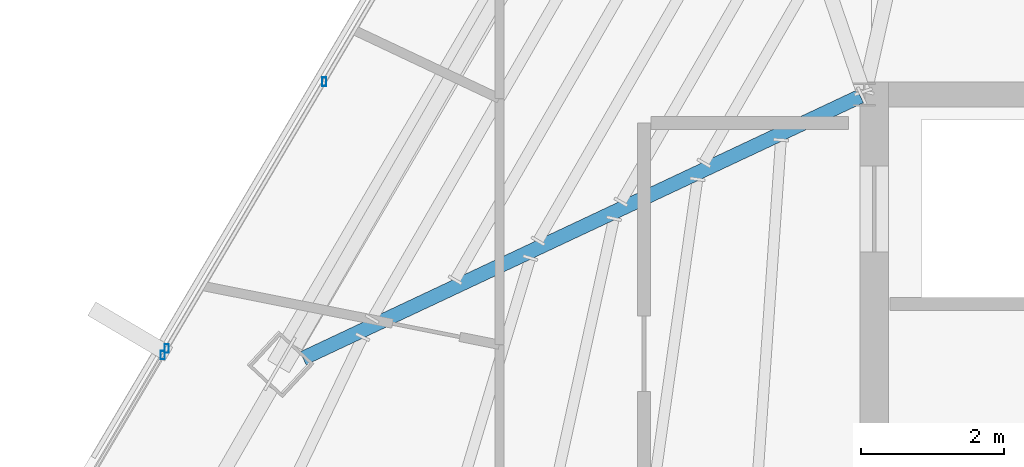
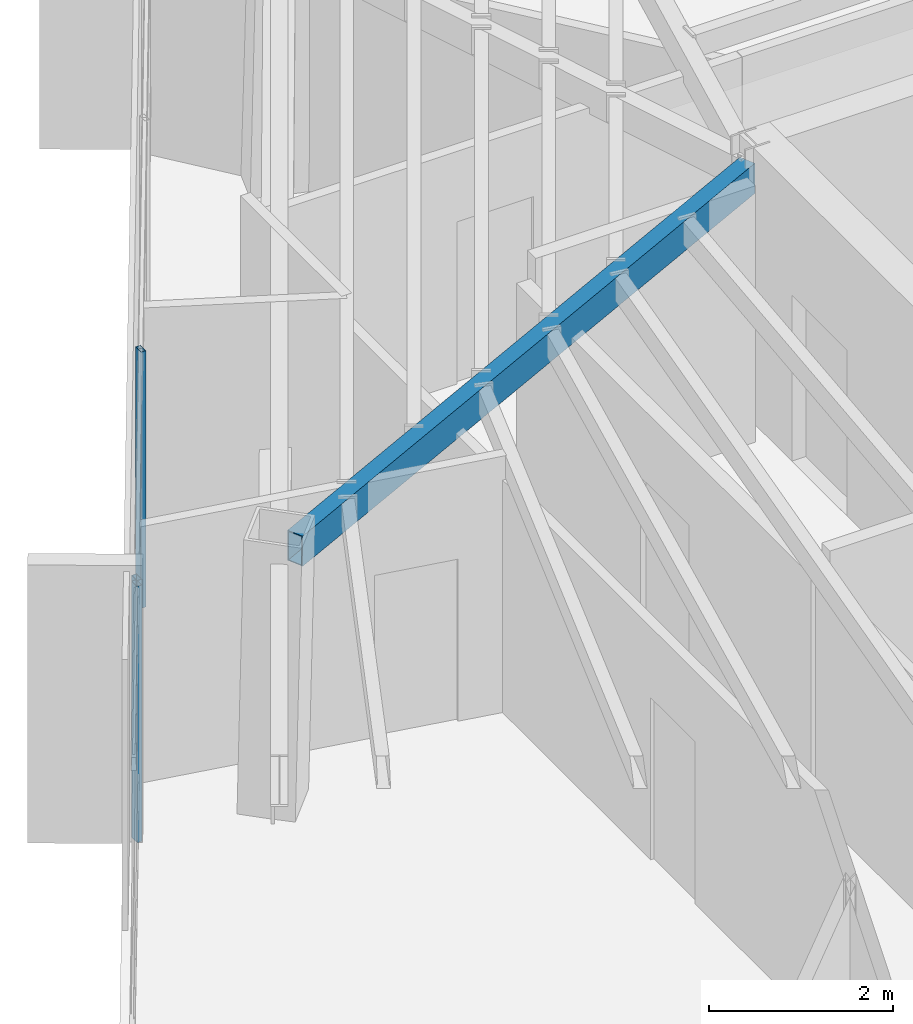
# One storey, part 15 of 47: 3 members, 1 beam, 2 elements without a shape of their own.
"""IFC4 building model written with IfcOpenShell, lengths in metres."""

from ifc_helpers import new_model, si_unit, direction, frame, origin, origin_2d, place, context, subcontext, project, spatial, hollow_rectangle, extrude, source, transform, mapped, material, material_profile, profile_set, type_object, type_shapes, element, aggregate, save


model = new_model("IFC4")

# Units and contexts
model_context = context("Model", 3, precision=1e-05, world=origin(), true_north=direction((0.0, 1.0)))
body_context = subcontext(model_context, "Body", "Model", "MODEL_VIEW")
ifc_project = project(units=[si_unit("LENGTHUNIT", "METRE"), si_unit("AREAUNIT", "SQUARE_METRE"), si_unit("VOLUMEUNIT", "CUBIC_METRE"), si_unit("PLANEANGLEUNIT", "RADIAN"), si_unit("MASSUNIT", "GRAM", prefix="KILO")], contexts=[model_context])

# Site, building, storey
site_placement = place(None, origin())
site = spatial("IfcSite", under=ifc_project, at=site_placement, CompositionType="ELEMENT")
building_placement = place(site_placement, origin())
building = spatial("IfcBuilding", under=site, at=building_placement, Name="Caelisora Broadcast Tower", CompositionType="ELEMENT")
storey_placement = place(building_placement, frame((0.0, 0.0, 255.39990234375)))
storey = spatial("IfcBuildingStorey", under=building, at=storey_placement, Name="L67", CompositionType="ELEMENT", Elevation=255.39990234375)

# Beam
ifc_material_1 = material(Name="Steel Grade 350 (AS/NZS 1163 C350L0)", Category="steel")
ifc_material_profile_1 = material_profile(ifc_material_1, hollow_rectangle(XDim=0.199951171875, YDim=0.39990234375, WallThickness=0.012451171875, at=origin_2d()), Name="Steel Grade 350 (AS/NZS 1163 C350L0)")
ifc_profile_set_1 = profile_set([ifc_material_profile_1], Name="Steel Grade 350 (AS/NZS 1163 C350L0)")
beam_type = type_object("IfcBeamType", Name="PG07", PredefinedType="BEAM", material=ifc_profile_set_1)
shared_shape_1 = source(origin(), body_context, "Body", "SweptSolid", [
    extrude(hollow_rectangle(XDim=0.199951171875, YDim=0.39990234375, WallThickness=0.012451171875, at=origin_2d()), origin(), (0.0, 0.0, 1.0), 8.610107421875),
])
type_shapes(beam_type, [shared_shape_1])
beam_placement = place(storey_placement, frame((30.44580078125, 29.974609375, 3.2001953125), z_axis=(-0.904947824138, -0.425522544159, 0.0), x_axis=(0.425522544159, -0.904947824138, 0.0)))
element("IfcBeam", 1, at=beam_placement, inside=storey, type_object=beam_type, Name="L67 beam PG07", PredefinedType="BEAM", context=body_context, shape_type="MappedRepresentation", body=[
    mapped(shared_shape_1, transform((0.0, 0.0, 0.0), scale=1.0)),
])

# Curtain wall, member
ifc_material_2 = material(Name="Unitised Aluminium and Low-E Glass Curtain Wall", Category="glass")
curtain_wall_type_1 = type_object("IfcCurtainWallType", Name="CW-Z5", PredefinedType="NOTDEFINED", material=ifc_material_2)
curtain_wall_1_placement = place(storey_placement, origin())
curtain_wall_1 = element("IfcCurtainWall", 2, at=curtain_wall_1_placement, inside=storey, type_object=curtain_wall_type_1, Name="L67 curtain wall CW-Z5", PredefinedType="NOTDEFINED")
ifc_material_3 = material(Name="Aluminium 6063-T6 Anodised Terracotta Bronze", Category="aluminium")
ifc_material_profile_2 = material_profile(ifc_material_3, hollow_rectangle(XDim=0.06005859375, YDim=0.1201171875, WallThickness=0.0029296875, at=origin_2d()), Name="Aluminium 6063-T6 Anodised Terracotta Bronze")
ifc_profile_set_2 = profile_set([ifc_material_profile_2], Name="Aluminium 6063-T6 Anodised Terracotta Bronze")
member_type = type_object("IfcMemberType", Name="CWM-04", PredefinedType="MULLION", material=ifc_profile_set_2)
shared_shape_2 = source(origin(), body_context, "Body", "SweptSolid", [
    extrude(hollow_rectangle(XDim=0.06005859375, YDim=0.1201171875, WallThickness=0.0029296875, at=origin_2d()), origin(), (0.0, 0.0, 1.0), 3.400146484375),
])
type_shapes(member_type, [shared_shape_2])
member_1_placement = place(storey_placement, frame((20.69091796875, 26.354248046875, 0.0), z_axis=(0.0, 0.0, 1.0), x_axis=(1.0, 0.0, 0.0)))
member_1 = element("IfcMember", 3, at=member_1_placement, type_object=member_type, Name="L67-CW-B09 mullion #3", PredefinedType="MULLION", context=body_context, shape_type="MappedRepresentation", body=[
    mapped(shared_shape_2, transform((0.0, 0.0, 0.0), scale=1.0)),
])
aggregate(curtain_wall_1, [member_1])

# Curtain wall, members
ifc_material_4 = material(Name="Unitised Aluminium Insulated Shadow-Box Spandrel Curtain Wall", Category="aluminium")
curtain_wall_type_2 = type_object("IfcCurtainWallType", Name="CW-SP3", PredefinedType="NOTDEFINED", material=ifc_material_4)
curtain_wall_2_placement = place(storey_placement, origin())
curtain_wall_2 = element("IfcCurtainWall", 4, at=curtain_wall_2_placement, inside=storey, type_object=curtain_wall_type_2, Name="L67 curtain wall CW-SP3", PredefinedType="NOTDEFINED")
member_2_placement = place(storey_placement, frame((20.7470703125, 26.448974609375, 0.0), z_axis=(0.0, 0.0, 1.0), x_axis=(1.0, 0.0, 0.0)))
member_2 = element("IfcMember", 5, at=member_2_placement, type_object=member_type, Name="L67-CW-B10 mullion #0", PredefinedType="MULLION", context=body_context, shape_type="MappedRepresentation", body=[
    mapped(shared_shape_2, transform((0.0, 0.0, 0.0), scale=1.0)),
])
member_3_placement = place(storey_placement, frame((22.948486328125, 30.177490234375, 0.0), z_axis=(0.0, 0.0, 1.0), x_axis=(1.0, 0.0, 0.0)))
member_3 = element("IfcMember", 6, at=member_3_placement, type_object=member_type, Name="L67-CW-B10 mullion #1", PredefinedType="MULLION", context=body_context, shape_type="MappedRepresentation", body=[
    mapped(shared_shape_2, transform((0.0, 0.0, 0.0), scale=1.0)),
])
aggregate(curtain_wall_2, [member_2, member_3])

save(model, "model.ifc")
